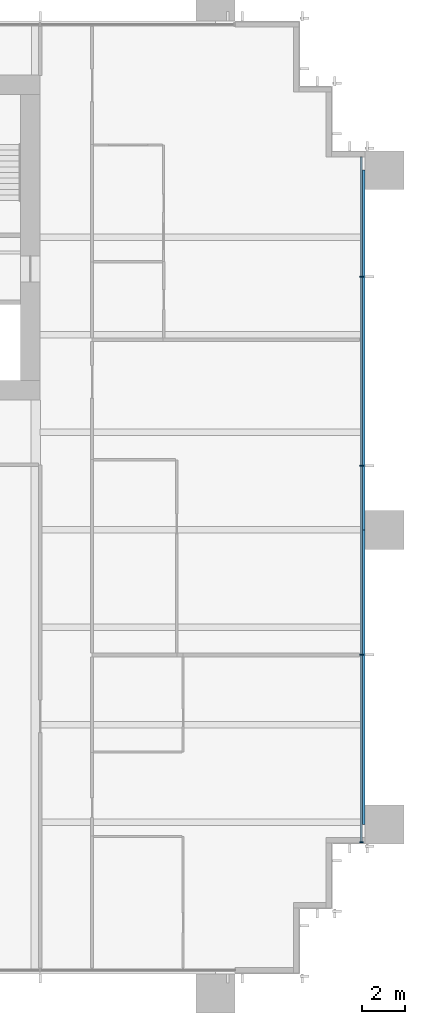
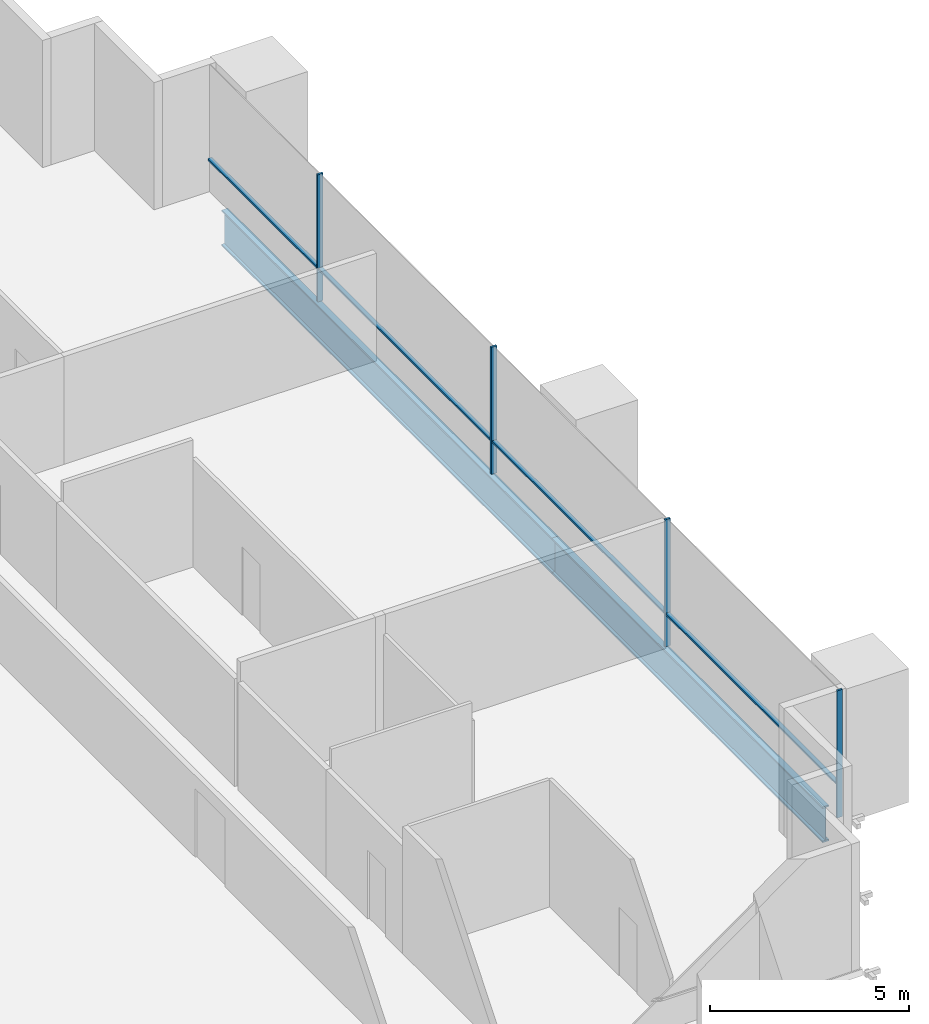
# One storey, part 9 of 17: 8 members, 2 beams, 1 element without a shape of its own.
"""IFC4 building model written with IfcOpenShell, lengths in metres."""

import ifcopenshell
import ifcopenshell.guid

model = None  # the IFC model being written
_history = None  # IfcOwnerHistory: only IFC2X3 demands one
_inside = {}  # id of a spatial element -> (the spatial element, [elements in it])
_under = {}  # id of a project, library or spatial element -> (it, [spatial elements below it])
_declared = {}  # id of a project -> (the project, [libraries it declares])
_typed = {}  # id of a type object -> (the type object, [elements of that type])
_made_of = {}  # id of a material, layer set ... -> (it, [elements and type objects made of it])


def new_model(schema):
    """Start an empty IFC model of exactly this schema.

    Asked for "IFC4X3", IfcOpenShell would pick the latest addendum, in which some entities
    have other attributes; the version numbers below select the first issue.
    IFC2X3 requires an IfcOwnerHistory on every rooted entity: one is made here for all.
    """
    global model, _history
    if schema == "IFC4X3":
        model = ifcopenshell.file(schema_version=(4, 3, 0, 0))
    else:
        model = ifcopenshell.file(schema=schema)
    _inside.clear()
    _under.clear()
    _declared.clear()
    _typed.clear()
    _made_of.clear()
    _history = None
    if model.schema == "IFC2X3":
        org = make("IfcOrganization", Name="unknown")
        user = make(
            "IfcPersonAndOrganization",
            ThePerson=make("IfcPerson", FamilyName="unknown"),
            TheOrganization=org,
        )
        app = make(
            "IfcApplication",
            ApplicationDeveloper=org,
            Version="unknown",
            ApplicationFullName="unknown",
            ApplicationIdentifier="unknown",
        )
        _history = make(
            "IfcOwnerHistory",
            OwningUser=user,
            OwningApplication=app,
            ChangeAction="ADDED",
            CreationDate=0,
        )
    return model


def make(cls, **values):
    """One entity of the class cls with the attributes given. An attribute that is None is left unset."""
    return model.create_entity(
        cls, **{name: value for name, value in values.items() if value is not None}
    )


def rooted(cls, **values):
    """An entity with a GlobalId (a new one), such as an element, a storey or a relation."""
    return make(cls, GlobalId=ifcopenshell.guid.new(), OwnerHistory=_history, **values)


def si_unit(unit_type, name, prefix=None):
    """IfcSIUnit, for example si_unit("LENGTHUNIT", "METRE", prefix="MILLI")."""
    return make("IfcSIUnit", UnitType=unit_type, Prefix=prefix, Name=name)


def assignment(units):
    """IfcUnitAssignment: the units of a project."""
    return None if units is None else make("IfcUnitAssignment", Units=units)


def point(xyz):
    """IfcCartesianPoint."""
    return None if xyz is None else make("IfcCartesianPoint", Coordinates=xyz)


def direction(xyz):
    """IfcDirection."""
    return None if xyz is None else make("IfcDirection", DirectionRatios=xyz)


def frame(location, z_axis=None, x_axis=None):
    """IfcAxis2Placement3D, a coordinate frame: its origin and axes. An axis left out is left unset."""
    return make(
        "IfcAxis2Placement3D",
        Location=point(location),
        Axis=direction(z_axis),
        RefDirection=direction(x_axis),
    )


def frame_2d(location, x_axis=None):
    """IfcAxis2Placement2D, a coordinate frame in the plane: its origin and x axis."""
    return make(
        "IfcAxis2Placement2D", Location=point(location), RefDirection=direction(x_axis)
    )


def origin():
    """The frame at (0, 0, 0) with its axes left unset."""
    return frame((0.0, 0.0, 0.0))


def origin_2d():
    """The frame at (0, 0) in the plane with its x axis left unset."""
    return frame_2d((0.0, 0.0))


def place(relative_to, where):
    """IfcLocalPlacement: puts the frame where relative to a parent placement (None: the world)."""
    return make(
        "IfcLocalPlacement", PlacementRelTo=relative_to, RelativePlacement=where
    )


def context(
    kind, dimensions, precision=None, world=None, true_north=None, identifier=None
):
    """IfcGeometricRepresentationContext, for example the 3D "Model" context."""
    return make(
        "IfcGeometricRepresentationContext",
        ContextIdentifier=identifier,
        ContextType=kind,
        CoordinateSpaceDimension=dimensions,
        Precision=precision,
        WorldCoordinateSystem=world,
        TrueNorth=true_north,
    )


def subcontext(parent, identifier, kind, view, scale=None):
    """IfcGeometricRepresentationSubContext, for example "Body" below "Model"."""
    return make(
        "IfcGeometricRepresentationSubContext",
        ContextIdentifier=identifier,
        ContextType=kind,
        ParentContext=parent,
        TargetScale=scale,
        TargetView=view,
    )


def project(units=None, contexts=None):
    """IfcProject with its units and contexts."""
    return rooted(
        "IfcProject",
        Name="project",
        RepresentationContexts=contexts,
        UnitsInContext=assignment(units),
    )


def spatial(cls, under=None, at=None, **own):
    """A site, building, storey or space (cls), placed at a placement, below another one or the project."""
    s = rooted(cls, ObjectPlacement=at, **own)
    if under is not None:
        _under.setdefault(under.id(), (under, []))[1].append(s)
    return s


def profile(cls, at=None, kind="AREA", **sizes):
    """A parametric profile (cls). Its sizes go by their IFC names, for example OverallWidth=200.0."""
    return make(cls, ProfileType=kind, Position=at, **sizes)


def rectangle(**sizes):
    """IfcRectangleProfileDef."""
    return profile("IfcRectangleProfileDef", **sizes)


def i_section(**sizes):
    """IfcIShapeProfileDef."""
    return profile("IfcIShapeProfileDef", **sizes)


def extrude(swept, where, along, depth):
    """IfcExtrudedAreaSolid: the profile swept, set in the frame where, extruded along a direction by depth."""
    return make(
        "IfcExtrudedAreaSolid",
        SweptArea=swept,
        Position=where,
        ExtrudedDirection=direction(along),
        Depth=depth,
    )


def shape(context_of_items, identifier, shape_type, items):
    """IfcShapeRepresentation: the items that make up one representation, for example the "Body"."""
    return make(
        "IfcShapeRepresentation",
        ContextOfItems=context_of_items,
        RepresentationIdentifier=identifier,
        RepresentationType=shape_type,
        Items=items,
    )


def material(Name=None, Category=None):
    """IfcMaterial."""
    return make("IfcMaterial", Name=Name, Category=Category)


def material_profile(
    of_material, cross_section, Name=None, Category=None, Priority=None
):
    """IfcMaterialProfile: a cross section and its material."""
    return make(
        "IfcMaterialProfile",
        Name=Name,
        Material=of_material,
        Profile=cross_section,
        Priority=Priority,
        Category=Category,
    )


def profile_set(profiles, Name=None, composite=None):
    """IfcMaterialProfileSet."""
    return make(
        "IfcMaterialProfileSet",
        Name=Name,
        MaterialProfiles=profiles,
        CompositeProfile=composite,
    )


def made_of(thing, what):
    """Note that an element or type object is made of a material, layer set ...; save() writes the relation."""
    if what is not None:
        _made_of.setdefault(what.id(), (what, []))[1].append(thing)
    return thing


def type_object(cls, material=None, **own):
    """A type object (cls), such as IfcWallType, which elements share."""
    return made_of(rooted(cls, **own), material)


def element(
    cls,
    number,
    at=None,
    inside=None,
    cuts=None,
    type_object=None,
    material=None,
    context=None,
    identifier="Body",
    shape_type=None,
    held_by="IfcProductDefinitionShape",
    body=None,
    shapes=None,
    **own,
):
    """One element of the class cls, such as IfcWall. Its Tag is "e" and its number.

    at: its placement. inside: the storey or other place that contains it. cuts: it is an
    opening in that element (IfcRelVoidsElement). A single representation is given by context,
    identifier, shape_type and body (its items); several are given by shapes. held_by: the class
    of the entity that holds the representations. save() writes the other relations.
    """
    e = rooted(cls, Tag="e%d" % number, ObjectPlacement=at, **own)
    if body is not None:
        shapes = [shape(context, identifier, shape_type, body)]
    if shapes is not None:
        e.Representation = make(held_by, Representations=shapes)
    if inside is not None:
        _inside.setdefault(inside.id(), (inside, []))[1].append(e)
    if cuts is not None:
        rooted(
            "IfcRelVoidsElement", RelatingBuildingElement=cuts, RelatedOpeningElement=e
        )
    if type_object is not None:
        _typed.setdefault(type_object.id(), (type_object, []))[1].append(e)
    return made_of(e, material)


def aggregate(whole, parts):
    """IfcRelAggregates: a whole, such as a stair, and the parts it consists of."""
    return rooted("IfcRelAggregates", RelatingObject=whole, RelatedObjects=parts)


def save(model, path):
    """Write the relations noted so far, then the file.

    IfcRelAggregates (storeys below a building ...), IfcRelContainedInSpatialStructure (elements
    in a storey), IfcRelDefinesByType, IfcRelAssociatesMaterial and IfcRelDeclares: one each for
    every whole, place, type object, material and project.
    """
    for whole, parts in _under.values():
        aggregate(whole, parts)
    for where, things in _inside.values():
        rooted(
            "IfcRelContainedInSpatialStructure",
            RelatedElements=things,
            RelatingStructure=where,
        )
    for kind, things in _typed.values():
        rooted("IfcRelDefinesByType", RelatedObjects=things, RelatingType=kind)
    for what, things in _made_of.values():
        rooted("IfcRelAssociatesMaterial", RelatedObjects=things, RelatingMaterial=what)
    for by, libraries in _declared.values():
        rooted("IfcRelDeclares", RelatingContext=by, RelatedDefinitions=libraries)
    model.write(path)


model = new_model("IFC4")

# Units and contexts
model_context = context("Model", 3, precision=1e-05, world=origin(), true_north=direction((0.0, 1.0)))
body_context = subcontext(model_context, "Body", "Model", "MODEL_VIEW")
ifc_project = project(units=[si_unit("LENGTHUNIT", "METRE"), si_unit("AREAUNIT", "SQUARE_METRE"), si_unit("VOLUMEUNIT", "CUBIC_METRE"), si_unit("PLANEANGLEUNIT", "RADIAN"), si_unit("MASSUNIT", "GRAM", prefix="KILO")], contexts=[model_context])

# Site, building, storey
site_placement = place(None, origin())
site = spatial("IfcSite", under=ifc_project, at=site_placement, CompositionType="ELEMENT")
building_placement = place(site_placement, origin())
building = spatial("IfcBuilding", under=site, at=building_placement, Name="Rattan Terrace Tower", CompositionType="ELEMENT")
storey_placement = place(building_placement, frame((0.0, 0.0, 61.10009765625)))
storey = spatial("IfcBuildingStorey", under=building, at=storey_placement, Name="L13", CompositionType="ELEMENT", Elevation=61.10009765625)

# Curtain wall, members
ifc_material_1 = material(Name="Aluminium and glass", Category="aluminium")
curtain_wall_type = type_object("IfcCurtainWallType", Name="Facade Unitised Curtain Wall", PredefinedType="NOTDEFINED", material=ifc_material_1)
curtain_wall_placement = place(storey_placement, origin())
curtain_wall = element("IfcCurtainWall", 1, at=curtain_wall_placement, inside=storey, type_object=curtain_wall_type, Name="Curtain wall L13-1", PredefinedType="NOTDEFINED")
ifc_material_2 = material(Name="Aluminium", Category="aluminium")
ifc_material_profile_1 = material_profile(ifc_material_2, rectangle(XDim=0.06005859375, YDim=0.159912109375, at=origin_2d()), Name="Aluminium 60x160")
ifc_profile_set_1 = profile_set([ifc_material_profile_1], Name="Aluminium")
member_type_1 = type_object("IfcMemberType", Name="Facade CW Mullion 60x160", PredefinedType="MULLION", material=ifc_profile_set_1)
member_1_placement = place(storey_placement, frame((32.830078125, -27.925048828125, 0.0), z_axis=(0.0, 0.0, 1.0), x_axis=(0.0, 1.0, 0.0)))
member_1 = element("IfcMember", 2, at=member_1_placement, type_object=member_type_1, Name="Mullion cwl-L13-001.1", PredefinedType="MULLION", context=body_context, shape_type="SweptSolid", body=[
    extrude(rectangle(XDim=0.06005859375, YDim=0.159912109375, at=origin_2d()), origin(), (0.0, 0.0, 1.0), 3.89990234375),
])
member_2_placement = place(storey_placement, frame((32.830078125, -19.27294921875, 0.0), z_axis=(0.0, 0.0, 1.0), x_axis=(0.0, 1.0, 0.0)))
member_2 = element("IfcMember", 3, at=member_2_placement, type_object=member_type_1, Name="Mullion cwl-L13-001.2", PredefinedType="MULLION", context=body_context, shape_type="SweptSolid", body=[
    extrude(rectangle(XDim=0.06005859375, YDim=0.159912109375, at=origin_2d()), origin(), (0.0, 0.0, 1.0), 3.89990234375),
])
member_3_placement = place(storey_placement, frame((32.830078125, -10.5458984375, 0.0), z_axis=(0.0, 0.0, 1.0), x_axis=(0.0, 1.0, 0.0)))
member_3 = element("IfcMember", 4, at=member_3_placement, type_object=member_type_1, Name="Mullion cwl-L13-001.3", PredefinedType="MULLION", context=body_context, shape_type="SweptSolid", body=[
    extrude(rectangle(XDim=0.06005859375, YDim=0.159912109375, at=origin_2d()), origin(), (0.0, 0.0, 1.0), 3.89990234375),
])
member_4_placement = place(storey_placement, frame((32.830078125, -1.819091796875, 0.0), z_axis=(0.0, 0.0, 1.0), x_axis=(0.0, 1.0, 0.0)))
member_4 = element("IfcMember", 5, at=member_4_placement, type_object=member_type_1, Name="Mullion cwl-L13-001.4", PredefinedType="MULLION", context=body_context, shape_type="SweptSolid", body=[
    extrude(rectangle(XDim=0.06005859375, YDim=0.159912109375, at=origin_2d()), origin(), (0.0, 0.0, 1.0), 3.89990234375),
])
ifc_material_3 = material(Name="Aluminium", Category="aluminium")
ifc_material_profile_2 = material_profile(ifc_material_3, rectangle(XDim=0.1201171875, YDim=0.06005859375, at=origin_2d()), Name="Aluminium 120x60")
ifc_profile_set_2 = profile_set([ifc_material_profile_2], Name="Aluminium")
member_type_2 = type_object("IfcMemberType", Name="Facade CW Transom 120x60", PredefinedType="USERDEFINED", material=ifc_profile_set_2)
member_5_placement = place(storey_placement, frame((32.830078125, -27.89501953125, 1.0), z_axis=(0.0, 1.0, 0.0), x_axis=(-1.0, 0.0, 0.0)))
member_5 = element("IfcMember", 6, at=member_5_placement, type_object=member_type_2, Name="Transom cwl-L13-001.1", ObjectType="TRANSOM", PredefinedType="USERDEFINED", context=body_context, shape_type="SweptSolid", body=[
    extrude(rectangle(XDim=0.1201171875, YDim=0.06005859375, at=origin_2d()), origin(), (0.0, 0.0, 1.0), 8.592041015625),
])
member_6_placement = place(storey_placement, frame((32.830078125, -19.242919921875, 1.0), z_axis=(0.0, 1.0, 0.0), x_axis=(-1.0, 0.0, 0.0)))
member_6 = element("IfcMember", 7, at=member_6_placement, type_object=member_type_2, Name="Transom cwl-L13-001.2", ObjectType="TRANSOM", PredefinedType="USERDEFINED", context=body_context, shape_type="SweptSolid", body=[
    extrude(rectangle(XDim=0.1201171875, YDim=0.06005859375, at=origin_2d()), origin(), (0.0, 0.0, 1.0), 8.6669921875),
])
member_7_placement = place(storey_placement, frame((32.830078125, -10.51611328125, 1.0), z_axis=(0.0, 1.0, 0.0), x_axis=(-1.0, 0.0, 0.0)))
member_7 = element("IfcMember", 8, at=member_7_placement, type_object=member_type_2, Name="Transom cwl-L13-001.3", ObjectType="TRANSOM", PredefinedType="USERDEFINED", context=body_context, shape_type="SweptSolid", body=[
    extrude(rectangle(XDim=0.1201171875, YDim=0.06005859375, at=origin_2d()), origin(), (0.0, 0.0, 1.0), 8.6669921875),
])
member_8_placement = place(storey_placement, frame((32.830078125, -1.7890625, 1.0), z_axis=(0.0, 1.0, 0.0), x_axis=(-1.0, 0.0, 0.0)))
member_8 = element("IfcMember", 9, at=member_8_placement, type_object=member_type_2, Name="Transom cwl-L13-001.4", ObjectType="TRANSOM", PredefinedType="USERDEFINED", context=body_context, shape_type="SweptSolid", body=[
    extrude(rectangle(XDim=0.1201171875, YDim=0.06005859375, at=origin_2d()), origin(), (0.0, 0.0, 1.0), 5.494140625),
])
aggregate(curtain_wall, [member_1, member_2, member_3, member_4, member_5, member_6, member_7, member_8])

# Beams
ifc_material_4 = material(Name="Steel S460", Category="steel")
ifc_material_profile_3 = material_profile(ifc_material_4, i_section(OverallWidth=0.179931640625, OverallDepth=1.10009765625, WebThickness=0.01611328125, FlangeThickness=0.050048828125, at=origin_2d()), Name="PG 1100x180-16-50")
ifc_profile_set_3 = profile_set([ifc_material_profile_3], Name="Steel S460")
beam_type = type_object("IfcBeamType", Name="Frame edge girder PG 1100x180-16-50", PredefinedType="SPANDREL", material=ifc_profile_set_3)
beam_1_placement = place(storey_placement, frame((32.909912109375, -27.10009765625, -0.75), z_axis=(0.0, 1.0, 0.0), x_axis=(-1.0, 0.0, 0.0)))
element("IfcBeam", 10, at=beam_1_placement, inside=storey, type_object=beam_type, Name="gdr-L13-005", PredefinedType="SPANDREL", context=body_context, shape_type="SweptSolid", body=[
    extrude(i_section(OverallWidth=0.179931640625, OverallDepth=1.10009765625, WebThickness=0.01611328125, FlangeThickness=0.050048828125, at=origin_2d()), origin(), (0.0, 0.0, 1.0), 13.60009765625),
])
beam_2_placement = place(storey_placement, frame((32.909912109375, -13.5, -0.75), z_axis=(0.0, 1.0, 0.0), x_axis=(-1.0, 0.0, 0.0)))
element("IfcBeam", 11, at=beam_2_placement, inside=storey, type_object=beam_type, Name="gdr-L13-007", PredefinedType="SPANDREL", context=body_context, shape_type="SweptSolid", body=[
    extrude(i_section(OverallWidth=0.179931640625, OverallDepth=1.10009765625, WebThickness=0.01611328125, FlangeThickness=0.050048828125, at=origin_2d()), origin(), (0.0, 0.0, 1.0), 16.60009765625),
])

save(model, "model.ifc")
